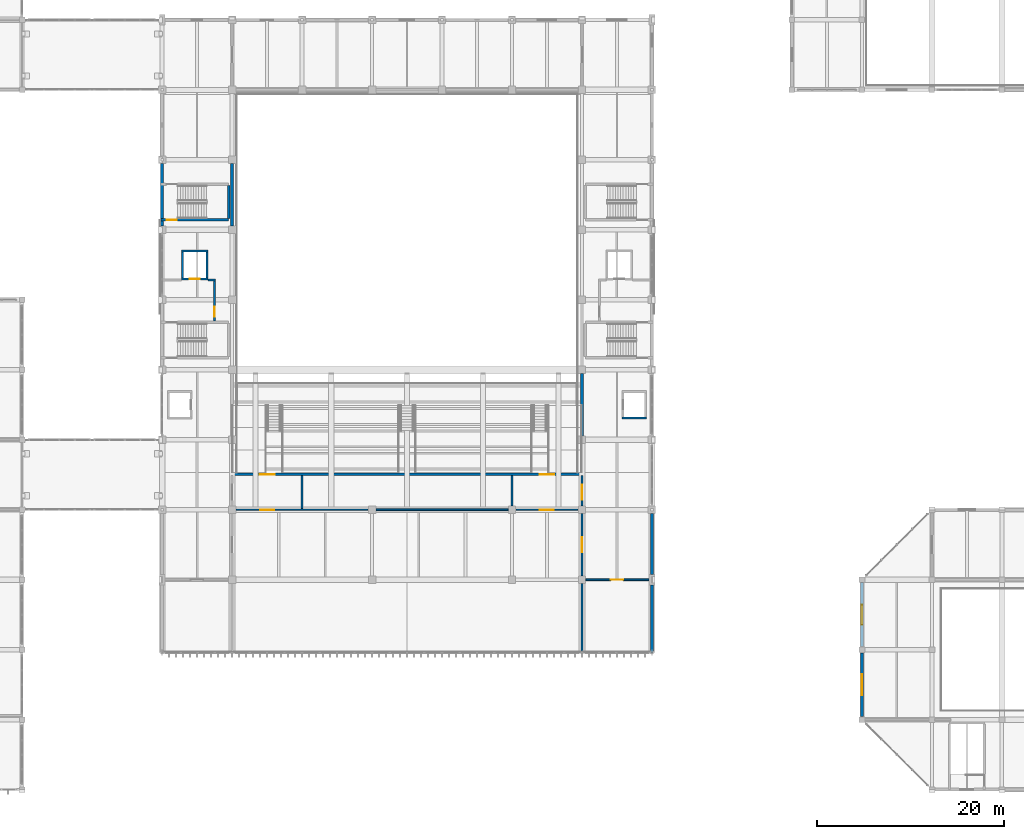
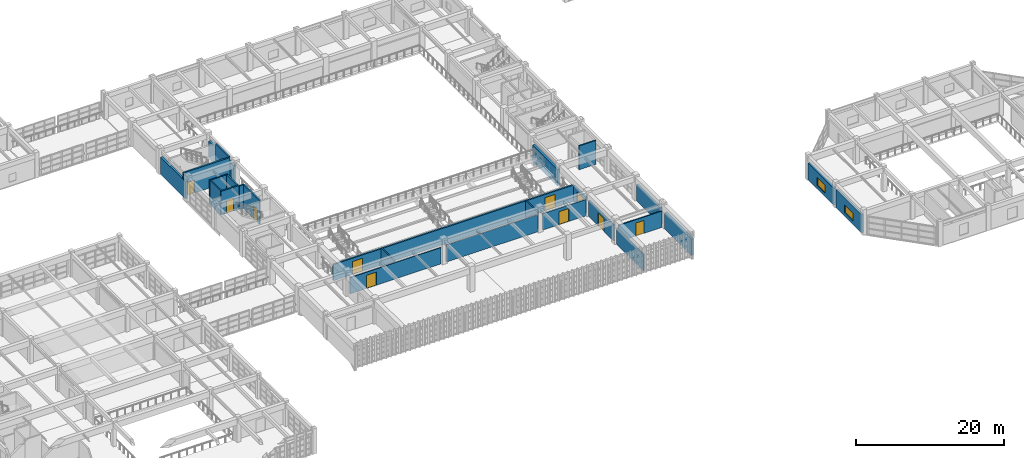
# One storey, part 94 of 124: 26 walls, 10 doors, 2 windows, 12 openings.
"""IFC4 building model written with IfcOpenShell, lengths in metres."""

from ifc_helpers import new_model, si_unit, direction, frame, frame_2d, origin, place, context, subcontext, project, spatial, rectangle, extrude, material, layer, layer_set, type_object, element, fill, save


model = new_model("IFC4")

# Units and contexts
model_context = context("Model", 3, precision=1e-05, world=origin(), true_north=direction((0.0, 1.0)))
body_context = subcontext(model_context, "Body", "Model", "MODEL_VIEW")
ifc_project = project(units=[si_unit("LENGTHUNIT", "METRE"), si_unit("AREAUNIT", "SQUARE_METRE"), si_unit("VOLUMEUNIT", "CUBIC_METRE"), si_unit("PLANEANGLEUNIT", "RADIAN"), si_unit("MASSUNIT", "GRAM", prefix="KILO")], contexts=[model_context])

# Site, building, storey
site_placement = place(None, origin())
site = spatial("IfcSite", under=ifc_project, at=site_placement, CompositionType="ELEMENT")
building_placement = place(site_placement, origin())
building = spatial("IfcBuilding", under=site, at=building_placement, Name="Qasida Concert Hall", CompositionType="ELEMENT")
storey_placement = place(building_placement, frame((0.0, 0.0, 9.0)))
storey = spatial("IfcBuildingStorey", under=building, at=storey_placement, Name="L02", CompositionType="ELEMENT", Elevation=9.0)

# Wall
ifc_material_1 = material(Name="Concrete C40/50", Category="concrete")
ifc_layer_1 = layer(ifc_material_1, 0.219970703125, Name="Concrete C40/50")
ifc_layer_set_1 = layer_set([ifc_layer_1], Name="Concrete C40/50")
wall_type_1 = type_object("IfcWallType", Name="WL-CW-220", PredefinedType="SOLIDWALL", material=ifc_layer_set_1)
wall_1_placement = place(storey_placement, frame((101.7900390625, 39.85009765625, 0.0), z_axis=(0.0, 0.0, 1.0), x_axis=(1.0, 0.0, 0.0)))
element("IfcWall", 1, at=wall_1_placement, inside=storey, type_object=wall_type_1, Name="L02 LF-02 lift shaft wall S", PredefinedType="SOLIDWALL", context=body_context, shape_type="SweptSolid", body=[
    extrude(rectangle(XDim=2.619873046875, YDim=0.219970703125, at=frame_2d((1.31005859375, 0.0))), origin(), (0.0, 0.0, 1.0), 3.919921875),
])

# Wall, opening, door
wall_2_placement = place(storey_placement, frame((54.590087890625, 54.75, 0.0), z_axis=(0.0, 0.0, 1.0), x_axis=(1.0, 0.0, 0.0)))
wall_2 = element("IfcWall", 2, at=wall_2_placement, inside=storey, type_object=wall_type_1, Name="L02 LF-03 lift shaft wall S", PredefinedType="SOLIDWALL", context=body_context, shape_type="SweptSolid", body=[
    extrude(rectangle(XDim=2.81982421875, YDim=0.219970703125, at=frame_2d((1.409912109375, 0.0))), origin(), (0.0, 0.0, 1.0), 3.919921875),
])
opening_1_placement = place(wall_2_placement, frame((0.860107421875, 0.0, 0.0)))
opening_1 = element("IfcOpeningElement", 3, at=opening_1_placement, cuts=wall_2, Name="Opening LD-110", PredefinedType="OPENING", context=body_context, shape_type="SweptSolid", body=[
    extrude(rectangle(XDim=1.10009765625, YDim=2.14990234375, at=frame_2d((0.550048828125, 1.074951171875))), frame((0.0, 0.119873046875, 0.0), z_axis=(0.0, -1.0, 0.0), x_axis=(1.0, 0.0, 0.0)), (0.0, 0.0, 1.0), 0.239990234375),
])
ifc_material_2 = material(Name="Firefighting lift sliding landing door", Category="steel")
door_type_1 = type_object("IfcDoorType", Name="LD-110", OperationType="SLIDING_TO_LEFT", PredefinedType="DOOR", material=ifc_material_2)
door_1_placement = place(opening_1_placement, origin())
door_1 = element("IfcDoor", 4, at=door_1_placement, inside=storey, type_object=door_type_1, Name="Lift landing door LF-03 L02", OperationType="SLIDING_TO_LEFT", OverallHeight=2.14990234375, OverallWidth=1.10009765625, PredefinedType="DOOR", context=body_context, shape_type="SweptSolid", body=[
    extrude(rectangle(XDim=1.10009765625, YDim=2.14990234375, at=frame_2d((0.550048828125, 1.074951171875))), frame((0.0, 0.02490234375, 0.0), z_axis=(0.0, -1.0, 0.0), x_axis=(1.0, 0.0, 0.0)), (0.0, 0.0, 1.0), 0.050048828125),
])
fill(opening_1, door_1)

# Walls
wall_3_placement = place(storey_placement, frame((54.590087890625, 57.75, 0.0), z_axis=(0.0, 0.0, 1.0), x_axis=(1.0, 0.0, 0.0)))
element("IfcWall", 5, at=wall_3_placement, inside=storey, type_object=wall_type_1, Name="L02 LF-03 lift shaft wall N", PredefinedType="SOLIDWALL", context=body_context, shape_type="SweptSolid", body=[
    extrude(rectangle(XDim=2.81982421875, YDim=0.219970703125, at=frame_2d((1.409912109375, 0.0))), origin(), (0.0, 0.0, 1.0), 3.919921875),
])
for number, where, z_axis, x_axis, name in (
    (6, (54.699951171875, 54.860107421875, 0.0), (0.0, 0.0, 1.0), (0.0, 1.0, 0.0), "L02 LF-03 lift shaft wall W"),
    (7, (57.300048828125, 54.860107421875, 0.0), (0.0, 0.0, 1.0), (0.0, 1.0, 0.0), "L02 LF-03 lift shaft wall E"),
):
    element("IfcWall", number, at=place(storey_placement, frame(where, z_axis=z_axis, x_axis=x_axis)), inside=storey, type_object=wall_type_1, Name=name, PredefinedType="SOLIDWALL", context=body_context, shape_type="SweptSolid", body=[
        extrude(rectangle(XDim=2.77978515625, YDim=0.219970703125, at=frame_2d((1.389892578125, 0.0))), origin(), (0.0, 0.0, 1.0), 3.919921875),
    ])

# Wall, opening, door
wall_4_placement = place(storey_placement, frame((58.10009765625, 50.219970703125, 0.0), z_axis=(0.0, 0.0, 1.0), x_axis=(0.0, 1.0, 0.0)))
wall_4 = element("IfcWall", 8, at=wall_4_placement, inside=storey, type_object=wall_type_1, Name="L02 LF-03 firefighting lobby wall", PredefinedType="SOLIDWALL", context=body_context, shape_type="SweptSolid", body=[
    extrude(rectangle(XDim=4.409912109375, YDim=0.219970703125, at=frame_2d((2.205078125, 0.0))), origin(), (0.0, 0.0, 1.0), 3.919921875),
])
opening_2_placement = place(wall_4_placement, frame((0.449951171875, 0.0, 0.0)))
opening_2 = element("IfcOpeningElement", 9, at=opening_2_placement, cuts=wall_4, Name="Opening FD-110", PredefinedType="OPENING", context=body_context, shape_type="SweptSolid", body=[
    extrude(rectangle(XDim=1.10009765625, YDim=2.14990234375, at=frame_2d((0.550048828125, 1.074951171875))), frame((0.0, 0.119873046875, 0.0), z_axis=(0.0, -1.0, 0.0), x_axis=(1.0, 0.0, 0.0)), (0.0, 0.0, 1.0), 0.239990234375),
])
ifc_material_3 = material(Name="Steel fire-rated stair/lobby door set", Category="steel")
door_type_2 = type_object("IfcDoorType", Name="FD-110", OperationType="NOTDEFINED", PredefinedType="DOOR", material=ifc_material_3)
door_2_placement = place(opening_2_placement, origin())
door_2 = element("IfcDoor", 10, at=door_2_placement, inside=storey, type_object=door_type_2, Name="L02 LF-03 firefighting lobby fire door", OperationType="SINGLE_SWING_RIGHT", OverallHeight=2.14990234375, OverallWidth=1.10009765625, PredefinedType="DOOR", context=body_context, shape_type="SweptSolid", body=[
    extrude(rectangle(XDim=1.10009765625, YDim=2.14990234375, at=frame_2d((0.550048828125, 1.074951171875))), frame((0.0, 0.02490234375, 0.0), z_axis=(0.0, -1.0, 0.0), x_axis=(1.0, 0.0, 0.0)), (0.0, 0.0, 1.0), 0.050048828125),
])
fill(opening_2, door_2)

ifc_layer_2 = layer(ifc_material_1, 0.25, Name="Concrete C40/50")
ifc_layer_set_2 = layer_set([ifc_layer_2], Name="Concrete C40/50")
wall_type_2 = type_object("IfcWallType", Name="WL-CW-250", PredefinedType="SOLIDWALL", material=ifc_layer_set_2)
wall_5_placement = place(storey_placement, frame((52.3798828125, 61.074951171875, 0.0), z_axis=(0.0, 0.0, 1.0), x_axis=(1.0, 0.0, 0.0)))
wall_5 = element("IfcWall", 11, at=wall_5_placement, inside=storey, type_object=wall_type_2, Name="L02 ST-11 stairwell wall S", PredefinedType="SOLIDWALL", context=body_context, shape_type="SweptSolid", body=[
    extrude(rectangle(XDim=7.260009765625, YDim=0.25, at=frame_2d((3.6298828125, 0.0))), origin(), (0.0, 0.0, 1.0), 3.919921875),
])
opening_3_placement = place(wall_5_placement, frame((0.6201171875, 0.0, 0.0)))
opening_3 = element("IfcOpeningElement", 12, at=opening_3_placement, cuts=wall_5, Name="Opening FD-110", PredefinedType="OPENING", context=body_context, shape_type="SweptSolid", body=[
    extrude(rectangle(XDim=1.10009765625, YDim=2.14990234375, at=frame_2d((0.550048828125, 1.074951171875))), frame((0.0, 0.135009765625, 0.0), z_axis=(0.0, -1.0, 0.0), x_axis=(1.0, 0.0, 0.0)), (0.0, 0.0, 1.0), 0.27001953125),
])
door_3_placement = place(opening_3_placement, origin())
door_3 = element("IfcDoor", 13, at=door_3_placement, inside=storey, type_object=door_type_2, Name="L02 ST-11 rated stair door", OperationType="SINGLE_SWING_LEFT", OverallHeight=2.14990234375, OverallWidth=1.10009765625, PredefinedType="DOOR", context=body_context, shape_type="SweptSolid", body=[
    extrude(rectangle(XDim=1.10009765625, YDim=2.14990234375, at=frame_2d((0.550048828125, 1.074951171875))), frame((0.0, 0.02490234375, 0.0), z_axis=(0.0, -1.0, 0.0), x_axis=(1.0, 0.0, 0.0)), (0.0, 0.0, 1.0), 0.050048828125),
])
fill(opening_3, door_3)

# Walls
wall_6_placement = place(storey_placement, frame((59.64501953125, 61.199951171875, 0.0), z_axis=(0.0, 0.0, 1.0), x_axis=(0.0, 1.0, 0.0)))
element("IfcWall", 14, at=wall_6_placement, inside=storey, type_object=wall_type_2, Name="L02 ST-11 stairwell wall E", PredefinedType="SOLIDWALL", context=body_context, shape_type="SweptSolid", body=[
    extrude(rectangle(XDim=3.56005859375, YDim=0.25, at=frame_2d((1.780029296875, 0.0))), origin(), (0.0, 0.0, 1.0), 3.919921875),
])
ifc_material_4 = material(Name="Precast concrete C40/50", Category="concrete")
ifc_layer_3 = layer(ifc_material_4, 0.320068359375, Name="Precast concrete C40/50")
ifc_layer_set_3 = layer_set([ifc_layer_3], Name="Precast concrete C40/50")
wall_type_3 = type_object("IfcWallType", Name="WL-EW-320", PredefinedType="SOLIDWALL", material=ifc_layer_set_3)
wall_7_placement = place(storey_placement, frame((105.0, 23.06494140625, 0.0), z_axis=(0.0, 0.0, 1.0), x_axis=(0.0, 1.0, 0.0)))
element("IfcWall", 15, at=wall_7_placement, inside=storey, type_object=wall_type_3, Name="L02 exterior wall EW-320 0047", PredefinedType="SOLIDWALL", context=body_context, shape_type="SweptSolid", body=[
    extrude(rectangle(XDim=6.530029296875, YDim=0.320068359375, at=frame_2d((3.26513671875, 0.0))), origin(), (0.0, 0.0, 1.0), 2.68994140625),
])
wall_8_placement = place(storey_placement, frame((52.5, 60.4150390625, 0.0), z_axis=(0.0, 0.0, 1.0), x_axis=(0.0, 1.0, 0.0)))
element("IfcWall", 16, at=wall_8_placement, inside=storey, type_object=wall_type_3, Name="L02 exterior wall EW-320 0050", PredefinedType="SOLIDWALL", context=body_context, shape_type="SweptSolid", body=[
    extrude(rectangle(XDim=6.669921875, YDim=0.320068359375, at=frame_2d((3.3349609375, 0.0))), origin(), (0.0, 0.0, 1.0), 2.820068359375),
])

# Wall, opening, window
wall_9_placement = place(storey_placement, frame((127.5, 22.18505859375, 0.0), z_axis=(0.0, 0.0, 1.0), x_axis=(0.0, -1.0, 0.0)))
wall_9 = element("IfcWall", 17, at=wall_9_placement, inside=storey, type_object=wall_type_3, Name="L02 exterior wall EW-320 0172", PredefinedType="SOLIDWALL", context=body_context, shape_type="SweptSolid", body=[
    extrude(rectangle(XDim=6.860107421875, YDim=0.320068359375, at=frame_2d((3.43017578125, 0.0))), origin(), (0.0, 0.0, 1.0), 2.820068359375),
])
opening_4_placement = place(wall_9_placement, frame((2.385009765625, 0.0, 0.60009765625)))
opening_4 = element("IfcOpeningElement", 18, at=opening_4_placement, cuts=wall_9, Name="Opening WN-15", PredefinedType="OPENING", context=body_context, shape_type="SweptSolid", body=[
    extrude(rectangle(XDim=2.10009765625, YDim=1.300048828125, at=frame_2d((1.050048828125, 0.64990234375))), frame((0.0, 0.169921875, 0.0), z_axis=(0.0, -1.0, 0.0), x_axis=(1.0, 0.0, 0.0)), (0.0, 0.0, 1.0), 0.340087890625),
])
ifc_material_5 = material(Name="Bronze-anodized aluminium frame with acoustic low-E glazing", Category="aluminium")
window_type_1 = type_object("IfcWindowType", Name="WN-15", PartitioningType="SINGLE_PANEL", PredefinedType="WINDOW", material=ifc_material_5)
window_1_placement = place(opening_4_placement, origin())
window_1 = element("IfcWindow", 19, at=window_1_placement, inside=storey, type_object=window_type_1, Name="L02 window WN-15 0082", OverallHeight=1.300048828125, OverallWidth=2.10009765625, PartitioningType="SINGLE_PANEL", PredefinedType="WINDOW", context=body_context, shape_type="SweptSolid", body=[
    extrude(rectangle(XDim=2.10009765625, YDim=1.300048828125, at=frame_2d((1.050048828125, 0.64990234375))), frame((0.0, 0.030029296875, 0.0), z_axis=(0.0, -1.0, 0.0), x_axis=(1.0, 0.0, 0.0)), (0.0, 0.0, 1.0), 0.06005859375),
])
fill(opening_4, window_1)

wall_10_placement = place(storey_placement, frame((127.5, 14.675048828125, 0.0), z_axis=(0.0, 0.0, 1.0), x_axis=(0.0, -1.0, 0.0)))
wall_10 = element("IfcWall", 20, at=wall_10_placement, inside=storey, type_object=wall_type_3, Name="L02 exterior wall EW-320 0173", PredefinedType="SOLIDWALL", context=body_context, shape_type="SweptSolid", body=[
    extrude(rectangle(XDim=6.85009765625, YDim=0.320068359375, at=frame_2d((3.425048828125, 0.0))), origin(), (0.0, 0.0, 1.0), 3.02001953125),
])
opening_5_placement = place(wall_10_placement, frame((2.27490234375, 0.0, 0.60009765625)))
opening_5 = element("IfcOpeningElement", 21, at=opening_5_placement, cuts=wall_10, Name="Opening WN-16", PredefinedType="OPENING", context=body_context, shape_type="SweptSolid", body=[
    extrude(rectangle(XDim=2.300048828125, YDim=1.300048828125, at=frame_2d((1.14990234375, 0.64990234375))), frame((0.0, 0.169921875, 0.0), z_axis=(0.0, -1.0, 0.0), x_axis=(1.0, 0.0, 0.0)), (0.0, 0.0, 1.0), 0.340087890625),
])
window_type_2 = type_object("IfcWindowType", Name="WN-16", PartitioningType="SINGLE_PANEL", PredefinedType="WINDOW", material=ifc_material_5)
window_2_placement = place(opening_5_placement, origin())
window_2 = element("IfcWindow", 22, at=window_2_placement, inside=storey, type_object=window_type_2, Name="L02 window WN-16 0083", OverallHeight=1.300048828125, OverallWidth=2.300048828125, PartitioningType="SINGLE_PANEL", PredefinedType="WINDOW", context=body_context, shape_type="SweptSolid", body=[
    extrude(rectangle(XDim=2.300048828125, YDim=1.300048828125, at=frame_2d((1.14990234375, 0.64990234375))), frame((0.0, 0.030029296875, 0.0), z_axis=(0.0, -1.0, 0.0), x_axis=(1.0, 0.0, 0.0)), (0.0, 0.0, 1.0), 0.06005859375),
])
fill(opening_5, window_2)

# Wall
ifc_layer_4 = layer(ifc_material_4, 0.360107421875, Name="Precast concrete C40/50")
ifc_layer_set_4 = layer_set([ifc_layer_4], Name="Precast concrete C40/50")
wall_type_4 = type_object("IfcWallType", Name="WL-EW-360", PredefinedType="SOLIDWALL", material=ifc_layer_set_4)
wall_11_placement = place(storey_placement, frame((105.0, 14.699951171875, 0.0), z_axis=(0.0, 0.0, 1.0), x_axis=(0.0, 1.0, 0.0)))
element("IfcWall", 23, at=wall_11_placement, inside=storey, type_object=wall_type_4, Name="L02 exterior wall EW-360 0009", PredefinedType="SOLIDWALL", context=body_context, shape_type="SweptSolid", body=[
    extrude(rectangle(XDim=7.235107421875, YDim=0.360107421875, at=frame_2d((3.61767578125, 0.0))), origin(), (0.0, 0.0, 1.0), 2.68994140625),
])

# Wall, opening, door
ifc_material_6 = material(Name="Acoustic metal-stud gypsum partition", Category="gypsum")
ifc_layer_5 = layer(ifc_material_6, 0.179931640625, Name="Acoustic metal-stud gypsum partition")
ifc_layer_set_5 = layer_set([ifc_layer_5], Name="Acoustic metal-stud gypsum partition")
wall_type_5 = type_object("IfcWallType", Name="WL-PW-180", PredefinedType="PARTITIONING", material=ifc_layer_set_5)
wall_12_placement = place(storey_placement, frame((97.9140625, 22.5, 0.0), z_axis=(0.0, 0.0, 1.0), x_axis=(1.0, 0.0, 0.0)))
wall_12 = element("IfcWall", 24, at=wall_12_placement, inside=storey, type_object=wall_type_5, Name="L02 partition PW-180 0460", PredefinedType="PARTITIONING", context=body_context, shape_type="SweptSolid", body=[
    extrude(rectangle(XDim=6.77197265625, YDim=0.179931640625, at=frame_2d((3.385986328125, 0.0))), origin(), (0.0, 0.0, 1.0), 2.68994140625),
])
opening_6_placement = place(wall_12_placement, frame((2.68603515625, 0.0, 0.0)))
opening_6 = element("IfcOpeningElement", 25, at=opening_6_placement, cuts=wall_12, Name="Opening ID-130", PredefinedType="OPENING", context=body_context, shape_type="SweptSolid", body=[
    extrude(rectangle(XDim=1.300048828125, YDim=2.14990234375, at=frame_2d((0.64990234375, 1.074951171875))), frame((0.0, 0.099853515625, 0.0), z_axis=(0.0, -1.0, 0.0), x_axis=(1.0, 0.0, 0.0)), (0.0, 0.0, 1.0), 0.199951171875),
])
ifc_material_7 = material(Name="Bronze-framed glazed salon door", Category="aluminium")
door_type_3 = type_object("IfcDoorType", Name="ID-130", OperationType="NOTDEFINED", PredefinedType="DOOR", material=ifc_material_7)
door_4_placement = place(opening_6_placement, origin())
door_4 = element("IfcDoor", 26, at=door_4_placement, inside=storey, type_object=door_type_3, Name="L02 L02 east south salon door", OperationType="SINGLE_SWING_LEFT", OverallHeight=2.14990234375, OverallWidth=1.300048828125, PredefinedType="DOOR", context=body_context, shape_type="SweptSolid", body=[
    extrude(rectangle(XDim=1.300048828125, YDim=2.14990234375, at=frame_2d((0.64990234375, 1.074951171875))), frame((0.0, 0.02490234375, 0.0), z_axis=(0.0, -1.0, 0.0), x_axis=(1.0, 0.0, 0.0)), (0.0, 0.0, 1.0), 0.050048828125),
])
fill(opening_6, door_4)

# Wall
ifc_material_8 = material(Name="Acoustic gypsum block and mineral wool", Category="gypsum")
ifc_layer_6 = layer(ifc_material_8, 0.199951171875, Name="Acoustic gypsum block and mineral wool")
ifc_layer_set_6 = layer_set([ifc_layer_6], Name="Acoustic gypsum block and mineral wool")
wall_type_6 = type_object("IfcWallType", Name="WL-PW-200", PredefinedType="PARTITIONING", material=ifc_layer_set_6)
wall_13_placement = place(storey_placement, frame((57.425048828125, 54.6298828125, 0.0), z_axis=(0.0, 0.0, 1.0), x_axis=(1.0, 0.0, 0.0)))
element("IfcWall", 27, at=wall_13_placement, inside=storey, type_object=wall_type_6, Name="L02 LF-03 firefighting lobby return wall", PredefinedType="PARTITIONING", context=body_context, shape_type="SweptSolid", body=[
    extrude(rectangle(XDim=0.784912109375, YDim=0.199951171875, at=frame_2d((0.392578125, 0.0))), origin(), (0.0, 0.0, 1.0), 3.89990234375),
])

# Wall, opening, door
wall_14_placement = place(storey_placement, frame((60.4140625, 30.0, 0.0), z_axis=(0.0, 0.0, 1.0), x_axis=(1.0, 0.0, 0.0)))
wall_14 = element("IfcWall", 28, at=wall_14_placement, inside=storey, type_object=wall_type_6, Name="L02 partition PW-200 0461", PredefinedType="PARTITIONING", context=body_context, shape_type="SweptSolid", body=[
    extrude(rectangle(XDim=14.171875, YDim=0.199951171875, at=frame_2d((7.0859375, 0.0))), origin(), (0.0, 0.0, 1.0), 2.68994140625),
])
opening_7_placement = place(wall_14_placement, frame((2.5859375, 0.0, 0.0)))
opening_7 = element("IfcOpeningElement", 29, at=opening_7_placement, cuts=wall_14, Name="Opening ID-150", PredefinedType="OPENING", context=body_context, shape_type="SweptSolid", body=[
    extrude(rectangle(XDim=1.5, YDim=2.159912109375, at=frame_2d((0.75, 1.080078125))), frame((0.0, 0.10986328125, 0.0), z_axis=(0.0, -1.0, 0.0), x_axis=(1.0, 0.0, 0.0)), (0.0, 0.0, 1.0), 0.219970703125),
])
ifc_material_9 = material(Name="Bronze-framed glazed foyer door", Category="aluminium")
door_type_4 = type_object("IfcDoorType", Name="ID-150", OperationType="NOTDEFINED", PredefinedType="DOOR", material=ifc_material_9)
door_5_placement = place(opening_7_placement, origin())
door_5 = element("IfcDoor", 30, at=door_5_placement, inside=storey, type_object=door_type_4, Name="L02 L02 west vomitory foyer door", OperationType="SINGLE_SWING_RIGHT", OverallHeight=2.159912109375, OverallWidth=1.5, PredefinedType="DOOR", context=body_context, shape_type="SweptSolid", body=[
    extrude(rectangle(XDim=1.5, YDim=2.159912109375, at=frame_2d((0.75, 1.080078125))), frame((0.0, 0.02490234375, 0.0), z_axis=(0.0, -1.0, 0.0), x_axis=(1.0, 0.0, 0.0)), (0.0, 0.0, 1.0), 0.050048828125),
])
fill(opening_7, door_5)

# Wall
wall_15_placement = place(storey_placement, frame((75.4140625, 30.0, 0.0), z_axis=(0.0, 0.0, 1.0), x_axis=(1.0, 0.0, 0.0)))
element("IfcWall", 31, at=wall_15_placement, inside=storey, type_object=wall_type_6, Name="L02 partition PW-200 0462", PredefinedType="PARTITIONING", context=body_context, shape_type="SweptSolid", body=[
    extrude(rectangle(XDim=14.171875, YDim=0.199951171875, at=frame_2d((7.0859375, 0.0))), origin(), (0.0, 0.0, 1.0), 2.820068359375),
])

# Wall, opening, door
wall_16_placement = place(storey_placement, frame((90.4140625, 30.0, 0.0), z_axis=(0.0, 0.0, 1.0), x_axis=(1.0, 0.0, 0.0)))
wall_16 = element("IfcWall", 32, at=wall_16_placement, inside=storey, type_object=wall_type_6, Name="L02 partition PW-200 0463", PredefinedType="PARTITIONING", context=body_context, shape_type="SweptSolid", body=[
    extrude(rectangle(XDim=6.671875, YDim=0.199951171875, at=frame_2d((3.3359375, 0.0))), origin(), (0.0, 0.0, 1.0), 2.68994140625),
])
opening_8_placement = place(wall_16_placement, frame((2.5859375, 0.0, 0.0)))
opening_8 = element("IfcOpeningElement", 33, at=opening_8_placement, cuts=wall_16, Name="Opening ID-150", PredefinedType="OPENING", context=body_context, shape_type="SweptSolid", body=[
    extrude(rectangle(XDim=1.5, YDim=2.159912109375, at=frame_2d((0.75, 1.080078125))), frame((0.0, 0.10986328125, 0.0), z_axis=(0.0, -1.0, 0.0), x_axis=(1.0, 0.0, 0.0)), (0.0, 0.0, 1.0), 0.219970703125),
])
door_6_placement = place(opening_8_placement, origin())
door_6 = element("IfcDoor", 34, at=door_6_placement, inside=storey, type_object=door_type_4, Name="L02 L02 east vomitory foyer door", OperationType="SINGLE_SWING_LEFT", OverallHeight=2.159912109375, OverallWidth=1.5, PredefinedType="DOOR", context=body_context, shape_type="SweptSolid", body=[
    extrude(rectangle(XDim=1.5, YDim=2.159912109375, at=frame_2d((0.75, 1.080078125))), frame((0.0, 0.02490234375, 0.0), z_axis=(0.0, -1.0, 0.0), x_axis=(1.0, 0.0, 0.0)), (0.0, 0.0, 1.0), 0.050048828125),
])
fill(opening_8, door_6)

# Walls
wall_17_placement = place(storey_placement, frame((67.5, 30.114013671875, 0.0), z_axis=(0.0, 0.0, 1.0), x_axis=(0.0, 1.0, 0.0)))
element("IfcWall", 35, at=wall_17_placement, inside=storey, type_object=wall_type_6, Name="L02 partition PW-200 0465", PredefinedType="PARTITIONING", context=body_context, shape_type="SweptSolid", body=[
    extrude(rectangle(XDim=3.552001953125, YDim=0.199951171875, at=frame_2d((1.77587890625, 0.0))), origin(), (0.0, 0.0, 1.0), 2.8701171875),
])
wall_18_placement = place(storey_placement, frame((90.0, 30.4140625, 0.0), z_axis=(0.0, 0.0, 1.0), x_axis=(0.0, 1.0, 0.0)))
element("IfcWall", 36, at=wall_18_placement, inside=storey, type_object=wall_type_6, Name="L02 partition PW-200 0466", PredefinedType="PARTITIONING", context=body_context, shape_type="SweptSolid", body=[
    extrude(rectangle(XDim=3.251953125, YDim=0.199951171875, at=frame_2d((1.6259765625, 0.0))), origin(), (0.0, 0.0, 1.0), 2.820068359375),
])
wall_19_placement = place(storey_placement, frame((97.5, 14.820068359375, 0.0), z_axis=(0.0, 0.0, 1.0), x_axis=(0.0, 1.0, 0.0)))
element("IfcWall", 37, at=wall_19_placement, inside=storey, type_object=wall_type_6, Name="L02 partition PW-200 0470", PredefinedType="PARTITIONING", context=body_context, shape_type="SweptSolid", body=[
    extrude(rectangle(XDim=7.265869140625, YDim=0.199951171875, at=frame_2d((3.6328125, 0.0))), origin(), (0.0, 0.0, 1.0), 2.68994140625),
])

# Wall, opening, door
wall_20_placement = place(storey_placement, frame((97.5, 22.9140625, 0.0), z_axis=(0.0, 0.0, 1.0), x_axis=(0.0, 1.0, 0.0)))
wall_20 = element("IfcWall", 38, at=wall_20_placement, inside=storey, type_object=wall_type_6, Name="L02 partition PW-200 0471", PredefinedType="PARTITIONING", context=body_context, shape_type="SweptSolid", body=[
    extrude(rectangle(XDim=6.671875, YDim=0.199951171875, at=frame_2d((3.3359375, 0.0))), origin(), (0.0, 0.0, 1.0), 2.68994140625),
])
opening_9_placement = place(wall_20_placement, frame((2.535888671875, 0.0, 0.0)))
opening_9 = element("IfcOpeningElement", 39, at=opening_9_placement, cuts=wall_20, Name="Opening FD-160", PredefinedType="OPENING", context=body_context, shape_type="SweptSolid", body=[
    extrude(rectangle(XDim=1.60009765625, YDim=2.14990234375, at=frame_2d((0.800048828125, 1.074951171875))), frame((0.0, 0.10986328125, 0.0), z_axis=(0.0, -1.0, 0.0), x_axis=(1.0, 0.0, 0.0)), (0.0, 0.0, 1.0), 0.219970703125),
])
ifc_material_10 = material(Name="Double-leaf acoustic fire door", Category="steel")
door_type_5 = type_object("IfcDoorType", Name="FD-160", OperationType="NOTDEFINED", PredefinedType="DOOR", material=ifc_material_10)
door_7_placement = place(opening_9_placement, origin())
door_7 = element("IfcDoor", 40, at=door_7_placement, inside=storey, type_object=door_type_5, Name="L02 L02 balcony foyer east door", OperationType="SINGLE_SWING_RIGHT", OverallHeight=2.14990234375, OverallWidth=1.60009765625, PredefinedType="DOOR", context=body_context, shape_type="SweptSolid", body=[
    extrude(rectangle(XDim=1.60009765625, YDim=2.14990234375, at=frame_2d((0.800048828125, 1.074951171875))), frame((0.0, 0.02490234375, 0.0), z_axis=(0.0, -1.0, 0.0), x_axis=(1.0, 0.0, 0.0)), (0.0, 0.0, 1.0), 0.050048828125),
])
fill(opening_9, door_7)

wall_21_placement = place(storey_placement, frame((97.5, 30.4140625, 0.0), z_axis=(0.0, 0.0, 1.0), x_axis=(0.0, 1.0, 0.0)))
wall_21 = element("IfcWall", 41, at=wall_21_placement, inside=storey, type_object=wall_type_6, Name="L02 partition PW-200 0472", PredefinedType="PARTITIONING", context=body_context, shape_type="SweptSolid", body=[
    extrude(rectangle(XDim=3.251953125, YDim=0.199951171875, at=frame_2d((1.6259765625, 0.0))), origin(), (0.0, 0.0, 1.0), 2.68994140625),
])
opening_10_placement = place(wall_21_placement, frame((0.68603515625, 0.0, 0.0)))
opening_10 = element("IfcOpeningElement", 42, at=opening_10_placement, cuts=wall_21, Name="Opening AD-160", PredefinedType="OPENING", context=body_context, shape_type="SweptSolid", body=[
    extrude(rectangle(XDim=1.60009765625, YDim=2.159912109375, at=frame_2d((0.800048828125, 1.080078125))), frame((0.0, 0.10986328125, 0.0), z_axis=(0.0, -1.0, 0.0), x_axis=(1.0, 0.0, 0.0)), (0.0, 0.0, 1.0), 0.219970703125),
])
ifc_material_11 = material(Name="Double-seal Rw 50 dB rehearsal hall door", Category="wood")
door_type_6 = type_object("IfcDoorType", Name="AD-160", OperationType="NOTDEFINED", PredefinedType="DOOR", material=ifc_material_11)
door_8_placement = place(opening_10_placement, origin())
door_8 = element("IfcDoor", 43, at=door_8_placement, inside=storey, type_object=door_type_6, Name="L02 L02 east balcony vomitory door", OperationType="SINGLE_SWING_LEFT", OverallHeight=2.159912109375, OverallWidth=1.60009765625, PredefinedType="DOOR", context=body_context, shape_type="SweptSolid", body=[
    extrude(rectangle(XDim=1.60009765625, YDim=2.159912109375, at=frame_2d((0.800048828125, 1.080078125))), frame((0.0, 0.02490234375, 0.0), z_axis=(0.0, -1.0, 0.0), x_axis=(1.0, 0.0, 0.0)), (0.0, 0.0, 1.0), 0.050048828125),
])
fill(opening_10, door_8)

# Wall, openings, doors
ifc_material_12 = material(Name="Double-stud acoustic gypsum and mineral wool", Category="gypsum")
ifc_layer_7 = layer(ifc_material_12, 0.239990234375, Name="Double-stud acoustic gypsum and mineral wool")
ifc_layer_set_7 = layer_set([ifc_layer_7], Name="Double-stud acoustic gypsum and mineral wool")
wall_type_7 = type_object("IfcWallType", Name="WL-PW-240", PredefinedType="PARTITIONING", material=ifc_layer_set_7)
wall_22_placement = place(storey_placement, frame((60.0, 33.800048828125, 0.0), z_axis=(0.0, 0.0, 1.0), x_axis=(1.0, 0.0, 0.0)))
wall_22 = element("IfcWall", 44, at=wall_22_placement, inside=storey, type_object=wall_type_7, Name="L02 partition PW-240 0464", PredefinedType="PARTITIONING", context=body_context, shape_type="SweptSolid", body=[
    extrude(rectangle(XDim=37.5, YDim=0.239990234375, at=frame_2d((18.75, 0.0))), origin(), (0.0, 0.0, 1.0), 2.68994140625),
])
opening_11_placement = place(wall_22_placement, frame((2.949951171875, 0.0, 0.0)))
opening_11 = element("IfcOpeningElement", 45, at=opening_11_placement, cuts=wall_22, Name="Opening AD-160", PredefinedType="OPENING", context=body_context, shape_type="SweptSolid", body=[
    extrude(rectangle(XDim=1.60009765625, YDim=2.159912109375, at=frame_2d((0.800048828125, 1.080078125))), frame((0.0, 0.1298828125, 0.0), z_axis=(0.0, -1.0, 0.0), x_axis=(1.0, 0.0, 0.0)), (0.0, 0.0, 1.0), 0.260009765625),
])
opening_12_placement = place(wall_22_placement, frame((32.949951171875, 0.0, 0.0)))
opening_12 = element("IfcOpeningElement", 46, at=opening_12_placement, cuts=wall_22, Name="Opening AD-160", PredefinedType="OPENING", context=body_context, shape_type="SweptSolid", body=[
    extrude(rectangle(XDim=1.60009765625, YDim=2.159912109375, at=frame_2d((0.800048828125, 1.080078125))), frame((0.0, 0.1298828125, 0.0), z_axis=(0.0, -1.0, 0.0), x_axis=(1.0, 0.0, 0.0)), (0.0, 0.0, 1.0), 0.260009765625),
])
door_9_placement = place(opening_11_placement, origin())
door_9 = element("IfcDoor", 47, at=door_9_placement, inside=storey, type_object=door_type_6, Name="L02 L02 west vomitory seating door", OperationType="SINGLE_SWING_RIGHT", OverallHeight=2.159912109375, OverallWidth=1.60009765625, PredefinedType="DOOR", context=body_context, shape_type="SweptSolid", body=[
    extrude(rectangle(XDim=1.60009765625, YDim=2.159912109375, at=frame_2d((0.800048828125, 1.080078125))), frame((0.0, 0.02490234375, 0.0), z_axis=(0.0, -1.0, 0.0), x_axis=(1.0, 0.0, 0.0)), (0.0, 0.0, 1.0), 0.050048828125),
])
fill(opening_11, door_9)
door_10_placement = place(opening_12_placement, origin())
door_10 = element("IfcDoor", 48, at=door_10_placement, inside=storey, type_object=door_type_6, Name="L02 L02 east vomitory seating door", OperationType="SINGLE_SWING_LEFT", OverallHeight=2.159912109375, OverallWidth=1.60009765625, PredefinedType="DOOR", context=body_context, shape_type="SweptSolid", body=[
    extrude(rectangle(XDim=1.60009765625, YDim=2.159912109375, at=frame_2d((0.800048828125, 1.080078125))), frame((0.0, 0.02490234375, 0.0), z_axis=(0.0, -1.0, 0.0), x_axis=(1.0, 0.0, 0.0)), (0.0, 0.0, 1.0), 0.050048828125),
])
fill(opening_12, door_10)

# Walls
ifc_layer_8 = layer(ifc_material_1, 0.35009765625, Name="Concrete C40/50")
ifc_layer_set_8 = layer_set([ifc_layer_8], Name="Concrete C40/50")
wall_type_8 = type_object("IfcWallType", Name="WL-SW-350", PredefinedType="SHEAR", material=ifc_layer_set_8)
wall_23_placement = place(storey_placement, frame((60.0, 60.39990234375, 0.0), z_axis=(0.0, 0.0, 1.0), x_axis=(0.0, 1.0, 0.0)))
element("IfcWall", 49, at=wall_23_placement, inside=storey, type_object=wall_type_8, Name="L02 acoustic box shear wall 0023", PredefinedType="SHEAR", context=body_context, shape_type="SweptSolid", body=[
    extrude(rectangle(XDim=6.7001953125, YDim=0.35009765625, at=frame_2d((3.35009765625, 0.0))), origin(), (0.0, 0.0, 1.0), 2.85009765625),
])
wall_24_placement = place(storey_placement, frame((97.5, 37.89990234375, 0.0), z_axis=(0.0, 0.0, 1.0), x_axis=(0.0, 1.0, 0.0)))
element("IfcWall", 50, at=wall_24_placement, inside=storey, type_object=wall_type_8, Name="L02 acoustic box shear wall 0024", PredefinedType="SHEAR", context=body_context, shape_type="SweptSolid", body=[
    extrude(rectangle(XDim=6.7001953125, YDim=0.35009765625, at=frame_2d((3.35009765625, 0.0))), origin(), (0.0, 0.0, 1.0), 2.719970703125),
])

save(model, "model.ifc")
